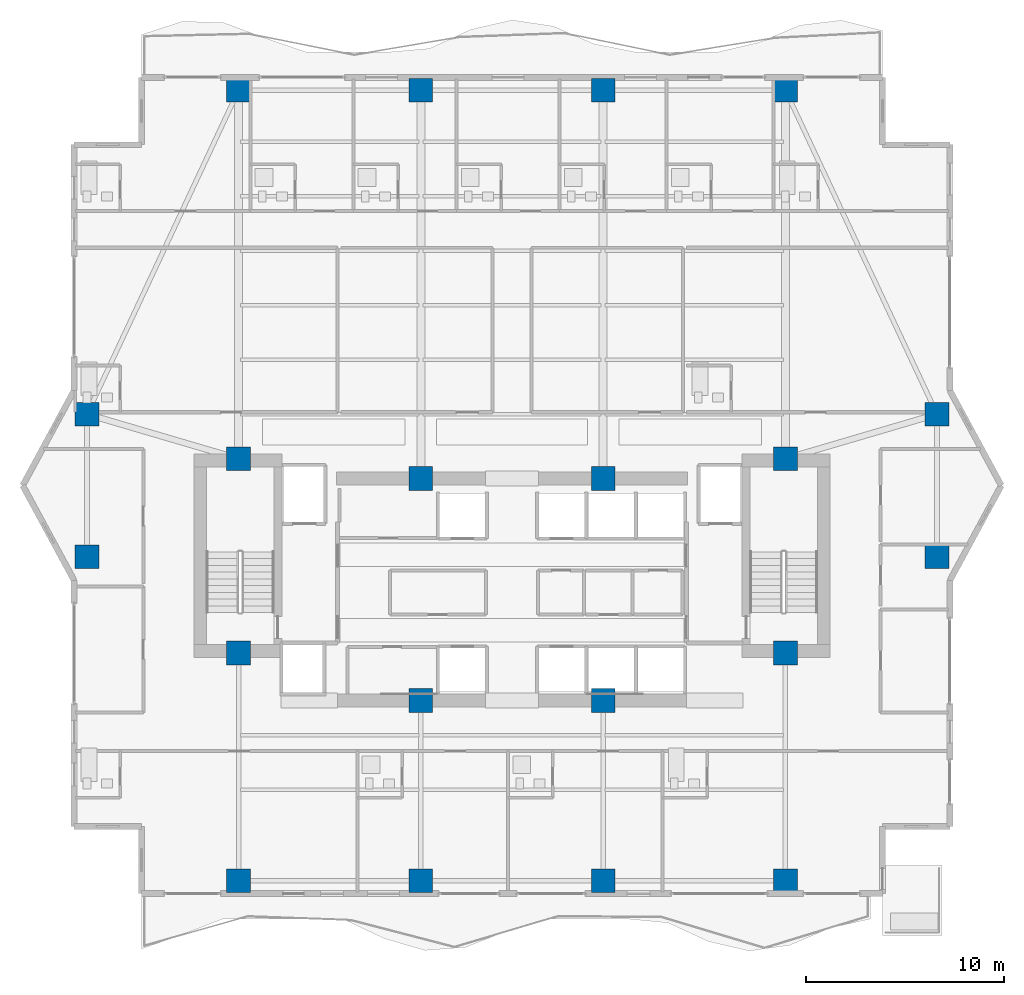
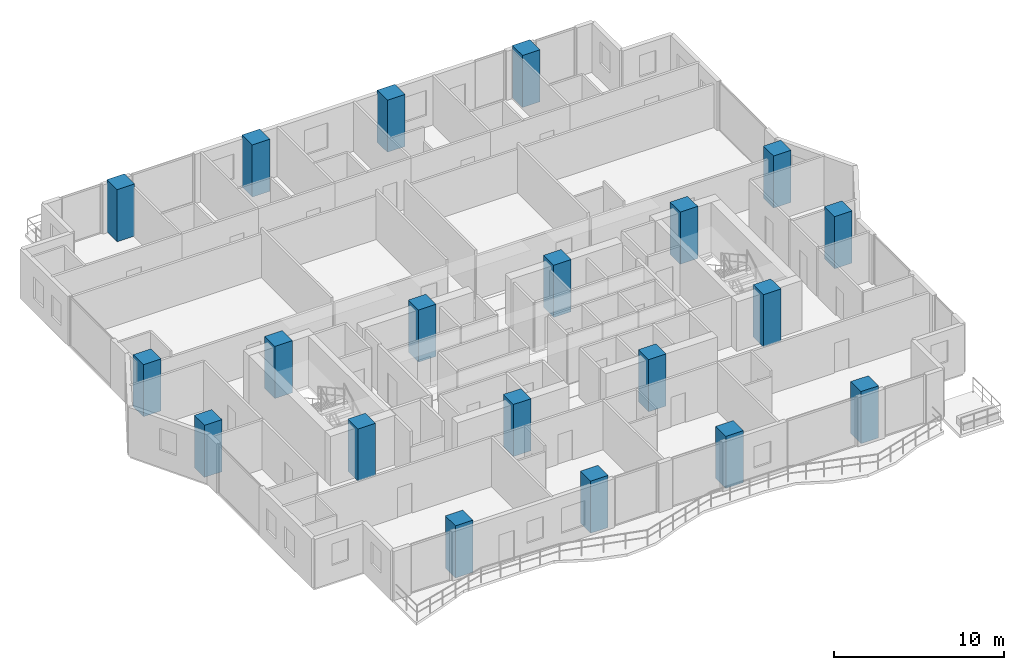
# One storey, part 1 of 33: 20 columns.
"""IFC4 building model written with IfcOpenShell, lengths in metres."""

import ifcopenshell
import ifcopenshell.guid

model = None  # the IFC model being written
_history = None  # IfcOwnerHistory: only IFC2X3 demands one
_inside = {}  # id of a spatial element -> (the spatial element, [elements in it])
_under = {}  # id of a project, library or spatial element -> (it, [spatial elements below it])
_declared = {}  # id of a project -> (the project, [libraries it declares])
_typed = {}  # id of a type object -> (the type object, [elements of that type])
_made_of = {}  # id of a material, layer set ... -> (it, [elements and type objects made of it])


def new_model(schema):
    """Start an empty IFC model of exactly this schema.

    Asked for "IFC4X3", IfcOpenShell would pick the latest addendum, in which some entities
    have other attributes; the version numbers below select the first issue.
    IFC2X3 requires an IfcOwnerHistory on every rooted entity: one is made here for all.
    """
    global model, _history
    if schema == "IFC4X3":
        model = ifcopenshell.file(schema_version=(4, 3, 0, 0))
    else:
        model = ifcopenshell.file(schema=schema)
    _inside.clear()
    _under.clear()
    _declared.clear()
    _typed.clear()
    _made_of.clear()
    _history = None
    if model.schema == "IFC2X3":
        org = make("IfcOrganization", Name="unknown")
        user = make(
            "IfcPersonAndOrganization",
            ThePerson=make("IfcPerson", FamilyName="unknown"),
            TheOrganization=org,
        )
        app = make(
            "IfcApplication",
            ApplicationDeveloper=org,
            Version="unknown",
            ApplicationFullName="unknown",
            ApplicationIdentifier="unknown",
        )
        _history = make(
            "IfcOwnerHistory",
            OwningUser=user,
            OwningApplication=app,
            ChangeAction="ADDED",
            CreationDate=0,
        )
    return model


def make(cls, **values):
    """One entity of the class cls with the attributes given. An attribute that is None is left unset."""
    return model.create_entity(
        cls, **{name: value for name, value in values.items() if value is not None}
    )


def rooted(cls, **values):
    """An entity with a GlobalId (a new one), such as an element, a storey or a relation."""
    return make(cls, GlobalId=ifcopenshell.guid.new(), OwnerHistory=_history, **values)


def si_unit(unit_type, name, prefix=None):
    """IfcSIUnit, for example si_unit("LENGTHUNIT", "METRE", prefix="MILLI")."""
    return make("IfcSIUnit", UnitType=unit_type, Prefix=prefix, Name=name)


def assignment(units):
    """IfcUnitAssignment: the units of a project."""
    return None if units is None else make("IfcUnitAssignment", Units=units)


def point(xyz):
    """IfcCartesianPoint."""
    return None if xyz is None else make("IfcCartesianPoint", Coordinates=xyz)


def direction(xyz):
    """IfcDirection."""
    return None if xyz is None else make("IfcDirection", DirectionRatios=xyz)


def frame(location, z_axis=None, x_axis=None):
    """IfcAxis2Placement3D, a coordinate frame: its origin and axes. An axis left out is left unset."""
    return make(
        "IfcAxis2Placement3D",
        Location=point(location),
        Axis=direction(z_axis),
        RefDirection=direction(x_axis),
    )


def frame_2d(location, x_axis=None):
    """IfcAxis2Placement2D, a coordinate frame in the plane: its origin and x axis."""
    return make(
        "IfcAxis2Placement2D", Location=point(location), RefDirection=direction(x_axis)
    )


def origin():
    """The frame at (0, 0, 0) with its axes left unset."""
    return frame((0.0, 0.0, 0.0))


def origin_2d():
    """The frame at (0, 0) in the plane with its x axis left unset."""
    return frame_2d((0.0, 0.0))


def place(relative_to, where):
    """IfcLocalPlacement: puts the frame where relative to a parent placement (None: the world)."""
    return make(
        "IfcLocalPlacement", PlacementRelTo=relative_to, RelativePlacement=where
    )


def context(
    kind, dimensions, precision=None, world=None, true_north=None, identifier=None
):
    """IfcGeometricRepresentationContext, for example the 3D "Model" context."""
    return make(
        "IfcGeometricRepresentationContext",
        ContextIdentifier=identifier,
        ContextType=kind,
        CoordinateSpaceDimension=dimensions,
        Precision=precision,
        WorldCoordinateSystem=world,
        TrueNorth=true_north,
    )


def subcontext(parent, identifier, kind, view, scale=None):
    """IfcGeometricRepresentationSubContext, for example "Body" below "Model"."""
    return make(
        "IfcGeometricRepresentationSubContext",
        ContextIdentifier=identifier,
        ContextType=kind,
        ParentContext=parent,
        TargetScale=scale,
        TargetView=view,
    )


def project(units=None, contexts=None):
    """IfcProject with its units and contexts."""
    return rooted(
        "IfcProject",
        Name="project",
        RepresentationContexts=contexts,
        UnitsInContext=assignment(units),
    )


def spatial(cls, under=None, at=None, **own):
    """A site, building, storey or space (cls), placed at a placement, below another one or the project."""
    s = rooted(cls, ObjectPlacement=at, **own)
    if under is not None:
        _under.setdefault(under.id(), (under, []))[1].append(s)
    return s


def profile(cls, at=None, kind="AREA", **sizes):
    """A parametric profile (cls). Its sizes go by their IFC names, for example OverallWidth=200.0."""
    return make(cls, ProfileType=kind, Position=at, **sizes)


def rectangle(**sizes):
    """IfcRectangleProfileDef."""
    return profile("IfcRectangleProfileDef", **sizes)


def extrude(swept, where, along, depth):
    """IfcExtrudedAreaSolid: the profile swept, set in the frame where, extruded along a direction by depth."""
    return make(
        "IfcExtrudedAreaSolid",
        SweptArea=swept,
        Position=where,
        ExtrudedDirection=direction(along),
        Depth=depth,
    )


def shape(context_of_items, identifier, shape_type, items):
    """IfcShapeRepresentation: the items that make up one representation, for example the "Body"."""
    return make(
        "IfcShapeRepresentation",
        ContextOfItems=context_of_items,
        RepresentationIdentifier=identifier,
        RepresentationType=shape_type,
        Items=items,
    )


def material(Name=None, Category=None):
    """IfcMaterial."""
    return make("IfcMaterial", Name=Name, Category=Category)


def material_profile(
    of_material, cross_section, Name=None, Category=None, Priority=None
):
    """IfcMaterialProfile: a cross section and its material."""
    return make(
        "IfcMaterialProfile",
        Name=Name,
        Material=of_material,
        Profile=cross_section,
        Priority=Priority,
        Category=Category,
    )


def profile_set(profiles, Name=None, composite=None):
    """IfcMaterialProfileSet."""
    return make(
        "IfcMaterialProfileSet",
        Name=Name,
        MaterialProfiles=profiles,
        CompositeProfile=composite,
    )


def made_of(thing, what):
    """Note that an element or type object is made of a material, layer set ...; save() writes the relation."""
    if what is not None:
        _made_of.setdefault(what.id(), (what, []))[1].append(thing)
    return thing


def type_object(cls, material=None, **own):
    """A type object (cls), such as IfcWallType, which elements share."""
    return made_of(rooted(cls, **own), material)


def element(
    cls,
    number,
    at=None,
    inside=None,
    cuts=None,
    type_object=None,
    material=None,
    context=None,
    identifier="Body",
    shape_type=None,
    held_by="IfcProductDefinitionShape",
    body=None,
    shapes=None,
    **own,
):
    """One element of the class cls, such as IfcWall. Its Tag is "e" and its number.

    at: its placement. inside: the storey or other place that contains it. cuts: it is an
    opening in that element (IfcRelVoidsElement). A single representation is given by context,
    identifier, shape_type and body (its items); several are given by shapes. held_by: the class
    of the entity that holds the representations. save() writes the other relations.
    """
    e = rooted(cls, Tag="e%d" % number, ObjectPlacement=at, **own)
    if body is not None:
        shapes = [shape(context, identifier, shape_type, body)]
    if shapes is not None:
        e.Representation = make(held_by, Representations=shapes)
    if inside is not None:
        _inside.setdefault(inside.id(), (inside, []))[1].append(e)
    if cuts is not None:
        rooted(
            "IfcRelVoidsElement", RelatingBuildingElement=cuts, RelatedOpeningElement=e
        )
    if type_object is not None:
        _typed.setdefault(type_object.id(), (type_object, []))[1].append(e)
    return made_of(e, material)


def aggregate(whole, parts):
    """IfcRelAggregates: a whole, such as a stair, and the parts it consists of."""
    return rooted("IfcRelAggregates", RelatingObject=whole, RelatedObjects=parts)


def save(model, path):
    """Write the relations noted so far, then the file.

    IfcRelAggregates (storeys below a building ...), IfcRelContainedInSpatialStructure (elements
    in a storey), IfcRelDefinesByType, IfcRelAssociatesMaterial and IfcRelDeclares: one each for
    every whole, place, type object, material and project.
    """
    for whole, parts in _under.values():
        aggregate(whole, parts)
    for where, things in _inside.values():
        rooted(
            "IfcRelContainedInSpatialStructure",
            RelatedElements=things,
            RelatingStructure=where,
        )
    for kind, things in _typed.values():
        rooted("IfcRelDefinesByType", RelatedObjects=things, RelatingType=kind)
    for what, things in _made_of.values():
        rooted("IfcRelAssociatesMaterial", RelatedObjects=things, RelatingMaterial=what)
    for by, libraries in _declared.values():
        rooted("IfcRelDeclares", RelatingContext=by, RelatedDefinitions=libraries)
    model.write(path)


model = new_model("IFC4")

# Units and contexts
model_context = context("Model", 3, precision=1e-05, world=origin(), true_north=direction((0.0, 1.0)))
body_context = subcontext(model_context, "Body", "Model", "MODEL_VIEW")
ifc_project = project(units=[si_unit("LENGTHUNIT", "METRE"), si_unit("AREAUNIT", "SQUARE_METRE"), si_unit("VOLUMEUNIT", "CUBIC_METRE"), si_unit("PLANEANGLEUNIT", "RADIAN"), si_unit("MASSUNIT", "GRAM", prefix="KILO")], contexts=[model_context])

# Site, building, storey
site_placement = place(None, origin())
site = spatial("IfcSite", under=ifc_project, at=site_placement, CompositionType="ELEMENT")
building_placement = place(site_placement, origin())
building = spatial("IfcBuilding", under=site, at=building_placement, Name="Zuhayl Quay Hotel", CompositionType="ELEMENT")
storey_placement = place(building_placement, frame((0.0, 0.0, 207.39990234375)))
storey = spatial("IfcBuildingStorey", under=building, at=storey_placement, Name="L52", CompositionType="ELEMENT", Elevation=207.39990234375)

# Columns
ifc_material = material(Name="Concrete C60/75", Category="concrete")
ifc_material_profile_1 = material_profile(ifc_material, rectangle(XDim=1.199951171875, YDim=1.199951171875, at=origin_2d()), Name="RC1200X1200")
ifc_profile_set_1 = profile_set([ifc_material_profile_1], Name="Concrete C60/75")
column_type_1 = type_object("IfcColumnType", Name="CL_CC2_1200", PredefinedType="COLUMN", material=ifc_profile_set_1)
for number, where, z_axis, x_axis, name in (
    (1, (-13.800048828125, 14.35009765625, 0.0), (0.0, 0.0, 1.0), (1.0, 0.0, 0.0), "L52 Core Column CC_NW"),
    (2, (-4.60009765625, 13.35009765625, 0.0), (0.0, 0.0, 1.0), (1.0, 0.0, 0.0), "L52 Core Column CC_CNW"),
    (3, (4.60009765625, 13.35009765625, 0.0), (0.0, 0.0, 1.0), (1.0, 0.0, 0.0), "L52 Core Column CC_CNE"),
    (4, (13.800048828125, 14.35009765625, 0.0), (0.0, 0.0, 1.0), (1.0, 0.0, 0.0), "L52 Core Column CC_NE"),
    (5, (-13.800048828125, 4.550048828125, 0.0), (0.0, 0.0, 1.0), (1.0, 0.0, 0.0), "L52 Core Column CC_SW"),
    (6, (-4.60009765625, 2.14990234375, 0.0), (0.0, 0.0, 1.0), (1.0, 0.0, 0.0), "L52 Core Column CC_CSW"),
    (7, (4.60009765625, 2.14990234375, 0.0), (0.0, 0.0, 1.0), (1.0, 0.0, 0.0), "L52 Core Column CC_CSE"),
    (8, (13.800048828125, 4.550048828125, 0.0), (0.0, 0.0, 1.0), (1.0, 0.0, 0.0), "L52 Core Column CC_SE"),
):
    element("IfcColumn", number, at=place(storey_placement, frame(where, z_axis=z_axis, x_axis=x_axis)), inside=storey, type_object=column_type_1, Name=name, PredefinedType="COLUMN", context=body_context, shape_type="SweptSolid", body=[
        extrude(rectangle(XDim=1.199951171875, YDim=1.199951171875, at=origin_2d()), origin(), (0.0, 0.0, 1.0), 3.75),
    ])
ifc_material_profile_2 = material_profile(ifc_material, rectangle(XDim=1.199951171875, YDim=1.199951171875, at=origin_2d()), Name="RC1200X1200")
ifc_profile_set_2 = profile_set([ifc_material_profile_2], Name="Concrete C60/75")
column_type_2 = type_object("IfcColumnType", Name="CL_MC3_1200", PredefinedType="COLUMN", material=ifc_profile_set_2)
for number, where, z_axis, x_axis, name in (
    (9, (-13.800048828125, -6.949951171875, 0.0), (0.0, 0.0, 1.0), (1.0, 0.0, 0.0), "L52 Mega-Column MC_S1"),
    (10, (-4.60009765625, -6.949951171875, 0.0), (0.0, 0.0, 1.0), (1.0, 0.0, 0.0), "L52 Mega-Column MC_S2"),
    (11, (4.60009765625, -6.949951171875, 0.0), (0.0, 0.0, 1.0), (1.0, 0.0, 0.0), "L52 Mega-Column MC_S3"),
    (12, (13.800048828125, -6.949951171875, 0.0), (0.0, 0.0, 1.0), (1.0, 0.0, 0.0), "L52 Mega-Column MC_S4"),
    (13, (-13.800048828125, 32.949951171875, 0.0), (0.0, 0.0, 1.0), (1.0, 0.0, 0.0), "L52 Mega-Column MC_N1"),
    (14, (-4.60009765625, 32.949951171875, 0.0), (0.0, 0.0, 1.0), (1.0, 0.0, 0.0), "L52 Mega-Column MC_N2"),
    (15, (4.60009765625, 32.949951171875, 0.0), (0.0, 0.0, 1.0), (1.0, 0.0, 0.0), "L52 Mega-Column MC_N3"),
    (16, (13.800048828125, 32.949951171875, 0.0), (0.0, 0.0, 1.0), (1.0, 0.0, 0.0), "L52 Mega-Column MC_N4"),
    (17, (-21.449951171875, 9.39990234375, 0.0), (0.0, 0.0, 1.0), (1.0, 0.0, 0.0), "L52 Mega-Column MC_W1"),
    (18, (-21.449951171875, 16.60009765625, 0.0), (0.0, 0.0, 1.0), (1.0, 0.0, 0.0), "L52 Mega-Column MC_W2"),
    (19, (21.449951171875, 9.39990234375, 0.0), (0.0, 0.0, 1.0), (1.0, 0.0, 0.0), "L52 Mega-Column MC_E1"),
    (20, (21.449951171875, 16.60009765625, 0.0), (0.0, 0.0, 1.0), (1.0, 0.0, 0.0), "L52 Mega-Column MC_E2"),
):
    element("IfcColumn", number, at=place(storey_placement, frame(where, z_axis=z_axis, x_axis=x_axis)), inside=storey, type_object=column_type_2, Name=name, PredefinedType="COLUMN", context=body_context, shape_type="SweptSolid", body=[
        extrude(rectangle(XDim=1.199951171875, YDim=1.199951171875, at=origin_2d()), origin(), (0.0, 0.0, 1.0), 3.75),
    ])

save(model, "model.ifc")
